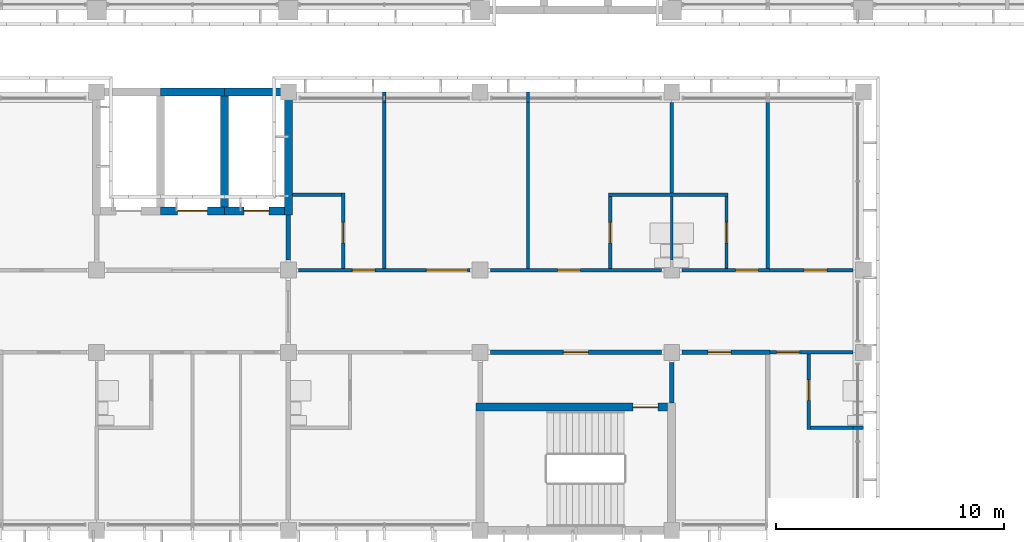
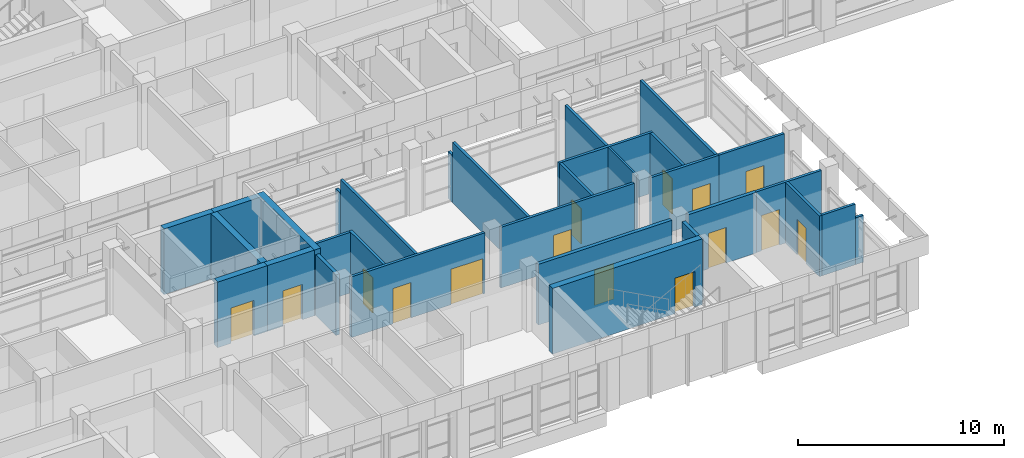
# One storey, part 38 of 74: 31 walls, 15 doors, 15 openings.
"""IFC4 building model written with IfcOpenShell, lengths in metres."""

from ifc_helpers import new_model, si_unit, direction, frame, frame_2d, origin, place, context, subcontext, project, spatial, rectangle, extrude, material, layer, layer_set, type_object, element, fill, save


model = new_model("IFC4")

# Units and contexts
model_context = context("Model", 3, precision=1e-05, world=origin(), true_north=direction((0.0, 1.0)))
body_context = subcontext(model_context, "Body", "Model", "MODEL_VIEW")
ifc_project = project(units=[si_unit("LENGTHUNIT", "METRE"), si_unit("AREAUNIT", "SQUARE_METRE"), si_unit("VOLUMEUNIT", "CUBIC_METRE"), si_unit("PLANEANGLEUNIT", "RADIAN"), si_unit("MASSUNIT", "GRAM", prefix="KILO")], contexts=[model_context])

# Site, building, storey
site_placement = place(None, origin())
site = spatial("IfcSite", under=ifc_project, at=site_placement, CompositionType="ELEMENT")
building_placement = place(site_placement, origin())
building = spatial("IfcBuilding", under=site, at=building_placement, Name="Bougainvillea Quay General Hospital", CompositionType="ELEMENT")
storey_placement = place(building_placement, frame((0.0, 0.0, 21.0)))
storey = spatial("IfcBuildingStorey", under=building, at=storey_placement, Name="L04", CompositionType="ELEMENT", Elevation=21.0)

# Walls
ifc_material_1 = material(Name="Gypsum board partition on steel studs", Category="steel")
ifc_layer_1 = layer(ifc_material_1, 0.10009765625)
ifc_layer_set_1 = layer_set([ifc_layer_1], Name="Gypsum board partition on steel studs")
wall_type_1 = type_object("IfcWallType", Name="Partition 100 Gypsum board partition", PredefinedType="PARTITIONING", material=ifc_layer_set_1)
wall_1_placement = place(storey_placement, frame((159.60009765625, 129.449951171875, 0.0), z_axis=(0.0, 0.0, 1.0), x_axis=(0.0, 1.0, 0.0)))
element("IfcWall", 1, at=wall_1_placement, inside=storey, type_object=wall_type_1, Name="Partition 100 mm", PredefinedType="PARTITIONING", context=body_context, shape_type="SweptSolid", body=[
    extrude(rectangle(XDim=2.775146484375, YDim=0.10009765625, at=frame_2d((1.3876953125, 0.0))), origin(), (0.0, 0.0, 1.0), 3.60009765625),
])
ifc_material_2 = material(Name="Gypsum board partition on steel studs, insulated", Category="steel")
ifc_layer_2 = layer(ifc_material_2, 0.14990234375)
ifc_layer_set_2 = layer_set([ifc_layer_2], Name="Gypsum board partition on steel studs, insulated")
wall_type_2 = type_object("IfcWallType", Name="Partition 150 Gypsum board partition", PredefinedType="PARTITIONING", material=ifc_layer_set_2)
wall_2_placement = place(storey_placement, frame((147.0, 129.074951171875, 0.0), z_axis=(0.0, 0.0, 1.0), x_axis=(0.0, 1.0, 0.0)))
element("IfcWall", 2, at=wall_2_placement, inside=storey, type_object=wall_type_2, Name="Partition 150 mm", PredefinedType="PARTITIONING", context=body_context, shape_type="SweptSolid", body=[
    extrude(rectangle(XDim=7.275146484375, YDim=0.14990234375, at=frame_2d((3.6376953125, 0.0))), origin(), (0.0, 0.0, 1.0), 3.60009765625),
])
wall_3_placement = place(storey_placement, frame((147.0, 136.35009765625, 0.0), z_axis=(0.0, 0.0, 1.0), x_axis=(0.0, 1.0, 0.0)))
element("IfcWall", 3, at=wall_3_placement, inside=storey, type_object=wall_type_2, Name="Partition 150 mm", PredefinedType="PARTITIONING", context=body_context, shape_type="SweptSolid", body=[
    extrude(rectangle(XDim=0.449951171875, YDim=0.14990234375, at=frame_2d((0.22509765625, 0.0))), origin(), (0.0, 0.0, 1.0), 2.780029296875),
])
wall_4_placement = place(storey_placement, frame((153.300048828125, 129.074951171875, 0.0), z_axis=(0.0, 0.0, 1.0), x_axis=(0.0, 1.0, 0.0)))
element("IfcWall", 4, at=wall_4_placement, inside=storey, type_object=wall_type_2, Name="Partition 150 mm", PredefinedType="PARTITIONING", context=body_context, shape_type="SweptSolid", body=[
    extrude(rectangle(XDim=7.275146484375, YDim=0.14990234375, at=frame_2d((3.6376953125, 0.0))), origin(), (0.0, 0.0, 1.0), 3.60009765625),
])
wall_5_placement = place(storey_placement, frame((153.300048828125, 136.35009765625, 0.0), z_axis=(0.0, 0.0, 1.0), x_axis=(0.0, 1.0, 0.0)))
element("IfcWall", 5, at=wall_5_placement, inside=storey, type_object=wall_type_2, Name="Partition 150 mm", PredefinedType="PARTITIONING", context=body_context, shape_type="SweptSolid", body=[
    extrude(rectangle(XDim=0.449951171875, YDim=0.14990234375, at=frame_2d((0.22509765625, 0.0))), origin(), (0.0, 0.0, 1.0), 2.780029296875),
])
wall_6_placement = place(storey_placement, frame((163.800048828125, 129.074951171875, 0.0), z_axis=(0.0, 0.0, 1.0), x_axis=(0.0, 1.0, 0.0)))
element("IfcWall", 6, at=wall_6_placement, inside=storey, type_object=wall_type_2, Name="Partition 150 mm", PredefinedType="PARTITIONING", context=body_context, shape_type="SweptSolid", body=[
    extrude(rectangle(XDim=7.275146484375, YDim=0.14990234375, at=frame_2d((3.6376953125, 0.0))), origin(), (0.0, 0.0, 1.0), 3.60009765625),
])
wall_7_placement = place(storey_placement, frame((156.824951171875, 132.300048828125, 0.0), z_axis=(0.0, 0.0, 1.0), x_axis=(1.0, 0.0, 0.0)))
element("IfcWall", 7, at=wall_7_placement, inside=storey, type_object=wall_type_2, Name="Partition 150 mm", PredefinedType="PARTITIONING", context=body_context, shape_type="SweptSolid", body=[
    extrude(rectangle(XDim=5.25, YDim=0.14990234375, at=frame_2d((2.625, 0.0))), origin(), (0.0, 0.0, 1.0), 3.60009765625),
])
wall_8_placement = place(storey_placement, frame((159.60009765625, 132.375, 0.0), z_axis=(0.0, 0.0, 1.0), x_axis=(0.0, 1.0, 0.0)))
element("IfcWall", 8, at=wall_8_placement, inside=storey, type_object=wall_type_2, Name="Partition 150 mm", PredefinedType="PARTITIONING", context=body_context, shape_type="SweptSolid", body=[
    extrude(rectangle(XDim=3.97509765625, YDim=0.14990234375, at=frame_2d((1.987548828125, 0.0))), origin(), (0.0, 0.0, 1.0), 3.60009765625),
])

# Wall, opening, door
wall_9_placement = place(storey_placement, frame((145.199951171875, 129.074951171875, 0.0), z_axis=(0.0, 0.0, 1.0), x_axis=(0.0, 1.0, 0.0)))
wall_9 = element("IfcWall", 9, at=wall_9_placement, inside=storey, type_object=wall_type_2, Name="Partition 150 mm", PredefinedType="PARTITIONING", context=body_context, shape_type="SweptSolid", body=[
    extrude(rectangle(XDim=3.300048828125, YDim=0.14990234375, at=frame_2d((1.64990234375, 0.0))), origin(), (0.0, 0.0, 1.0), 3.60009765625),
])
opening_1_placement = place(wall_9_placement, frame((1.125, 0.0, 0.0)))
opening_1 = element("IfcOpeningElement", 10, at=opening_1_placement, cuts=wall_9, Name="Opening L04.125", PredefinedType="OPENING", context=body_context, shape_type="SweptSolid", body=[
    extrude(rectangle(XDim=0.89990234375, YDim=2.10009765625, at=frame_2d((0.449951171875, 1.050048828125))), frame((0.0, 0.0849609375, 0.0), z_axis=(0.0, -1.0, 0.0), x_axis=(1.0, 0.0, 0.0)), (0.0, 0.0, 1.0), 0.169921875),
])
ifc_material_3 = material(Name="Solid-core timber door leaf in steel frame", Category="steel")
door_type_1 = type_object("IfcDoorType", Name="Single leaf door 900x2100", OperationType="NOTDEFINED", PredefinedType="DOOR", material=ifc_material_3)
door_1_placement = place(opening_1_placement, origin())
door_1 = element("IfcDoor", 11, at=door_1_placement, inside=storey, type_object=door_type_1, Name="DT07 L04.125", OperationType="SINGLE_SWING_LEFT", OverallHeight=2.10009765625, OverallWidth=0.89990234375, PredefinedType="DOOR", context=body_context, shape_type="SweptSolid", body=[
    extrude(rectangle(XDim=0.89990234375, YDim=2.10009765625, at=frame_2d((0.449951171875, 1.050048828125))), frame((0.0, 0.02490234375, 0.0), z_axis=(0.0, -1.0, 0.0), x_axis=(1.0, 0.0, 0.0)), (0.0, 0.0, 1.0), 0.050048828125),
])
fill(opening_1, door_1)

wall_10_placement = place(storey_placement, frame((156.89990234375, 129.074951171875, 0.0), z_axis=(0.0, 0.0, 1.0), x_axis=(0.0, 1.0, 0.0)))
wall_10 = element("IfcWall", 12, at=wall_10_placement, inside=storey, type_object=wall_type_2, Name="Partition 150 mm", PredefinedType="PARTITIONING", context=body_context, shape_type="SweptSolid", body=[
    extrude(rectangle(XDim=3.150146484375, YDim=0.14990234375, at=frame_2d((1.5751953125, 0.0))), origin(), (0.0, 0.0, 1.0), 3.60009765625),
])
opening_2_placement = place(wall_10_placement, frame((1.125, 0.0, 0.0)))
opening_2 = element("IfcOpeningElement", 13, at=opening_2_placement, cuts=wall_10, Name="Opening L04.128", PredefinedType="OPENING", context=body_context, shape_type="SweptSolid", body=[
    extrude(rectangle(XDim=0.89990234375, YDim=2.10009765625, at=frame_2d((0.449951171875, 1.050048828125))), frame((0.0, 0.0849609375, 0.0), z_axis=(0.0, -1.0, 0.0), x_axis=(1.0, 0.0, 0.0)), (0.0, 0.0, 1.0), 0.169921875),
])
door_2_placement = place(opening_2_placement, frame((0.89990234375, 0.0, 0.0), z_axis=(0.0, 0.0, 1.0), x_axis=(-1.0, 0.0, 0.0)))
door_2 = element("IfcDoor", 14, at=door_2_placement, inside=storey, type_object=door_type_1, Name="DT07 L04.128", OperationType="SINGLE_SWING_LEFT", OverallHeight=2.10009765625, OverallWidth=0.89990234375, PredefinedType="DOOR", context=body_context, shape_type="SweptSolid", body=[
    extrude(rectangle(XDim=0.89990234375, YDim=2.10009765625, at=frame_2d((0.449951171875, 1.050048828125))), frame((0.0, 0.02490234375, 0.0), z_axis=(0.0, -1.0, 0.0), x_axis=(1.0, 0.0, 0.0)), (0.0, 0.0, 1.0), 0.050048828125),
])
fill(opening_2, door_2)

wall_11_placement = place(storey_placement, frame((162.0, 129.074951171875, 0.0), z_axis=(0.0, 0.0, 1.0), x_axis=(0.0, 1.0, 0.0)))
wall_11 = element("IfcWall", 15, at=wall_11_placement, inside=storey, type_object=wall_type_2, Name="Partition 150 mm", PredefinedType="PARTITIONING", context=body_context, shape_type="SweptSolid", body=[
    extrude(rectangle(XDim=3.150146484375, YDim=0.14990234375, at=frame_2d((1.5751953125, 0.0))), origin(), (0.0, 0.0, 1.0), 3.60009765625),
])
opening_3_placement = place(wall_11_placement, frame((1.125, 0.0, 0.0)))
opening_3 = element("IfcOpeningElement", 16, at=opening_3_placement, cuts=wall_11, Name="Opening L04.130", PredefinedType="OPENING", context=body_context, shape_type="SweptSolid", body=[
    extrude(rectangle(XDim=0.89990234375, YDim=2.10009765625, at=frame_2d((0.449951171875, 1.050048828125))), frame((0.0, 0.0849609375, 0.0), z_axis=(0.0, -1.0, 0.0), x_axis=(1.0, 0.0, 0.0)), (0.0, 0.0, 1.0), 0.169921875),
])
door_3_placement = place(opening_3_placement, origin())
door_3 = element("IfcDoor", 17, at=door_3_placement, inside=storey, type_object=door_type_1, Name="DT07 L04.130", OperationType="SINGLE_SWING_RIGHT", OverallHeight=2.10009765625, OverallWidth=0.89990234375, PredefinedType="DOOR", context=body_context, shape_type="SweptSolid", body=[
    extrude(rectangle(XDim=0.89990234375, YDim=2.10009765625, at=frame_2d((0.449951171875, 1.050048828125))), frame((0.0, 0.02490234375, 0.0), z_axis=(0.0, -1.0, 0.0), x_axis=(1.0, 0.0, 0.0)), (0.0, 0.0, 1.0), 0.050048828125),
])
fill(opening_3, door_3)

wall_12_placement = place(storey_placement, frame((165.60009765625, 122.02490234375, 0.0), z_axis=(0.0, 0.0, 1.0), x_axis=(0.0, 1.0, 0.0)))
wall_12 = element("IfcWall", 18, at=wall_12_placement, inside=storey, type_object=wall_type_2, Name="Partition 150 mm", PredefinedType="PARTITIONING", context=body_context, shape_type="SweptSolid", body=[
    extrude(rectangle(XDim=3.300048828125, YDim=0.14990234375, at=frame_2d((1.64990234375, 0.0))), origin(), (0.0, 0.0, 1.0), 3.60009765625),
])
opening_4_placement = place(wall_12_placement, frame((1.27490234375, 0.0, 0.0)))
opening_4 = element("IfcOpeningElement", 19, at=opening_4_placement, cuts=wall_12, Name="Opening L04.133", PredefinedType="OPENING", context=body_context, shape_type="SweptSolid", body=[
    extrude(rectangle(XDim=0.89990234375, YDim=2.10009765625, at=frame_2d((0.449951171875, 1.050048828125))), frame((0.0, 0.0849609375, 0.0), z_axis=(0.0, -1.0, 0.0), x_axis=(1.0, 0.0, 0.0)), (0.0, 0.0, 1.0), 0.169921875),
])
door_4_placement = place(opening_4_placement, frame((0.89990234375, 0.0, 0.0), z_axis=(0.0, 0.0, 1.0), x_axis=(-1.0, 0.0, 0.0)))
door_4 = element("IfcDoor", 20, at=door_4_placement, inside=storey, type_object=door_type_1, Name="DT07 L04.133", OperationType="SINGLE_SWING_LEFT", OverallHeight=2.10009765625, OverallWidth=0.89990234375, PredefinedType="DOOR", context=body_context, shape_type="SweptSolid", body=[
    extrude(rectangle(XDim=0.89990234375, YDim=2.10009765625, at=frame_2d((0.449951171875, 1.050048828125))), frame((0.0, 0.02490234375, 0.0), z_axis=(0.0, -1.0, 0.0), x_axis=(1.0, 0.0, 0.0)), (0.0, 0.0, 1.0), 0.050048828125),
])
fill(opening_4, door_4)

# Walls
wall_13_placement = place(storey_placement, frame((165.675048828125, 122.10009765625, 0.0), z_axis=(0.0, 0.0, 1.0), x_axis=(1.0, 0.0, 0.0)))
element("IfcWall", 21, at=wall_13_placement, inside=storey, type_object=wall_type_2, Name="Partition 150 mm", PredefinedType="PARTITIONING", context=body_context, shape_type="SweptSolid", body=[
    extrude(rectangle(XDim=1.875, YDim=0.14990234375, at=frame_2d((0.9375, 0.0))), origin(), (0.0, 0.0, 1.0), 3.60009765625),
])
wall_14_placement = place(storey_placement, frame((167.550048828125, 122.10009765625, 0.0), z_axis=(0.0, 0.0, 1.0), x_axis=(1.0, 0.0, 0.0)))
element("IfcWall", 22, at=wall_14_placement, inside=storey, type_object=wall_type_2, Name="Partition 150 mm", PredefinedType="PARTITIONING", context=body_context, shape_type="SweptSolid", body=[
    extrude(rectangle(XDim=0.449951171875, YDim=0.14990234375, at=frame_2d((0.22509765625, 0.0))), origin(), (0.0, 0.0, 1.0), 2.780029296875),
])
wall_15_placement = place(storey_placement, frame((142.97509765625, 132.300048828125, 0.0), z_axis=(0.0, 0.0, 1.0), x_axis=(1.0, 0.0, 0.0)))
element("IfcWall", 23, at=wall_15_placement, inside=storey, type_object=wall_type_2, Name="Partition 150 mm", PredefinedType="PARTITIONING", context=body_context, shape_type="SweptSolid", body=[
    extrude(rectangle(XDim=2.14990234375, YDim=0.14990234375, at=frame_2d((1.074951171875, 0.0))), origin(), (0.0, 0.0, 1.0), 3.60009765625),
])

# Wall, opening, door
ifc_layer_3 = layer(ifc_material_2, 0.14990234375)
ifc_layer_set_3 = layer_set([ifc_layer_3], Name="Gypsum board partition on steel studs, insulated")
wall_type_3 = type_object("IfcWallType", Name="Partition 150 Gypsum board partition EI 30", PredefinedType="PARTITIONING", material=ifc_layer_set_3)
wall_16_placement = place(storey_placement, frame((163.875, 129.0, 0.0), z_axis=(0.0, 0.0, 1.0), x_axis=(-1.0, 0.0, 0.0)))
wall_16 = element("IfcWall", 24, at=wall_16_placement, inside=storey, type_object=wall_type_3, Name="Partition 150 mm EI 30", PredefinedType="PARTITIONING", context=body_context, shape_type="SweptSolid", body=[
    extrude(rectangle(XDim=3.824951171875, YDim=0.14990234375, at=frame_2d((1.91259765625, 0.0))), origin(), (0.0, 0.0, 1.0), 3.60009765625),
])
opening_5_placement = place(wall_16_placement, frame((0.47509765625, 0.0, 0.0)))
opening_5 = element("IfcOpeningElement", 25, at=opening_5_placement, cuts=wall_16, Name="Opening L04.129", PredefinedType="OPENING", context=body_context, shape_type="SweptSolid", body=[
    extrude(rectangle(XDim=1.0, YDim=2.10009765625, at=frame_2d((0.5, 1.050048828125))), frame((0.0, 0.0849609375, 0.0), z_axis=(0.0, -1.0, 0.0), x_axis=(1.0, 0.0, 0.0)), (0.0, 0.0, 1.0), 0.169921875),
])
door_type_2 = type_object("IfcDoorType", Name="Single leaf door 1000x2100 FD30S", OperationType="NOTDEFINED", PredefinedType="DOOR", material=ifc_material_3)
door_5_placement = place(opening_5_placement, frame((1.0, 0.0, 0.0), z_axis=(0.0, 0.0, 1.0), x_axis=(-1.0, 0.0, 0.0)))
door_5 = element("IfcDoor", 26, at=door_5_placement, inside=storey, type_object=door_type_2, Name="DT15 L04.129", OperationType="SINGLE_SWING_RIGHT", OverallHeight=2.10009765625, OverallWidth=1.0, PredefinedType="DOOR", context=body_context, shape_type="SweptSolid", body=[
    extrude(rectangle(XDim=1.0, YDim=2.10009765625, at=frame_2d((0.5, 1.050048828125))), frame((0.0, 0.02490234375, 0.0), z_axis=(0.0, -1.0, 0.0), x_axis=(1.0, 0.0, 0.0)), (0.0, 0.0, 1.0), 0.050048828125),
])
fill(opening_5, door_5)

wall_17_placement = place(storey_placement, frame((159.14990234375, 129.0, 0.0), z_axis=(0.0, 0.0, 1.0), x_axis=(-1.0, 0.0, 0.0)))
wall_17 = element("IfcWall", 27, at=wall_17_placement, inside=storey, type_object=wall_type_3, Name="Partition 150 mm EI 30", PredefinedType="PARTITIONING", context=body_context, shape_type="SweptSolid", body=[
    extrude(rectangle(XDim=7.5, YDim=0.14990234375, at=frame_2d((3.75, 0.0))), origin(), (0.0, 0.0, 1.0), 3.60009765625),
])
opening_6_placement = place(wall_17_placement, frame((3.550048828125, 0.0, 0.0)))
opening_6 = element("IfcOpeningElement", 28, at=opening_6_placement, cuts=wall_17, Name="Opening L04.127", PredefinedType="OPENING", context=body_context, shape_type="SweptSolid", body=[
    extrude(rectangle(XDim=1.0, YDim=2.10009765625, at=frame_2d((0.5, 1.050048828125))), frame((0.0, 0.0849609375, 0.0), z_axis=(0.0, -1.0, 0.0), x_axis=(1.0, 0.0, 0.0)), (0.0, 0.0, 1.0), 0.169921875),
])
door_6_placement = place(opening_6_placement, frame((1.0, 0.0, 0.0), z_axis=(0.0, 0.0, 1.0), x_axis=(-1.0, 0.0, 0.0)))
door_6 = element("IfcDoor", 29, at=door_6_placement, inside=storey, type_object=door_type_2, Name="DT15 L04.127", OperationType="SINGLE_SWING_LEFT", OverallHeight=2.10009765625, OverallWidth=1.0, PredefinedType="DOOR", context=body_context, shape_type="SweptSolid", body=[
    extrude(rectangle(XDim=1.0, YDim=2.10009765625, at=frame_2d((0.5, 1.050048828125))), frame((0.0, 0.02490234375, 0.0), z_axis=(0.0, -1.0, 0.0), x_axis=(1.0, 0.0, 0.0)), (0.0, 0.0, 1.0), 0.050048828125),
])
fill(opening_6, door_6)

# Wall, openings, doors
wall_18_placement = place(storey_placement, frame((150.75, 129.0, 0.0), z_axis=(0.0, 0.0, 1.0), x_axis=(-1.0, 0.0, 0.0)))
wall_18 = element("IfcWall", 30, at=wall_18_placement, inside=storey, type_object=wall_type_3, Name="Partition 150 mm EI 30", PredefinedType="PARTITIONING", context=body_context, shape_type="SweptSolid", body=[
    extrude(rectangle(XDim=7.5, YDim=0.14990234375, at=frame_2d((3.75, 0.0))), origin(), (0.0, 0.0, 1.0), 3.60009765625),
])
opening_7_placement = place(wall_18_placement, frame((4.14990234375, 0.0, 0.0)))
opening_7 = element("IfcOpeningElement", 31, at=opening_7_placement, cuts=wall_18, Name="Opening L04.124", PredefinedType="OPENING", context=body_context, shape_type="SweptSolid", body=[
    extrude(rectangle(XDim=1.0, YDim=2.10009765625, at=frame_2d((0.5, 1.050048828125))), frame((0.0, 0.0849609375, 0.0), z_axis=(0.0, -1.0, 0.0), x_axis=(1.0, 0.0, 0.0)), (0.0, 0.0, 1.0), 0.169921875),
])
opening_8_placement = place(wall_18_placement, frame((0.10009765625, 0.0, 0.0)))
opening_8 = element("IfcOpeningElement", 32, at=opening_8_placement, cuts=wall_18, Name="Opening L04.126", PredefinedType="OPENING", context=body_context, shape_type="SweptSolid", body=[
    extrude(rectangle(XDim=1.800048828125, YDim=2.10009765625, at=frame_2d((0.89990234375, 1.050048828125))), frame((0.0, 0.0849609375, 0.0), z_axis=(0.0, -1.0, 0.0), x_axis=(1.0, 0.0, 0.0)), (0.0, 0.0, 1.0), 0.169921875),
])
ifc_material_4 = material(Name="Solid-core timber door leaves in steel frame", Category="steel")
door_type_3 = type_object("IfcDoorType", Name="Double leaf door 1800x2100 FD30S", OperationType="DOUBLE_DOOR_SINGLE_SWING", PredefinedType="DOOR", material=ifc_material_4)
door_7_placement = place(opening_8_placement, frame((1.800048828125, 0.0, 0.0), z_axis=(0.0, 0.0, 1.0), x_axis=(-1.0, 0.0, 0.0)))
door_7 = element("IfcDoor", 33, at=door_7_placement, inside=storey, type_object=door_type_3, Name="DT17 L04.126", OperationType="DOUBLE_DOOR_SINGLE_SWING", OverallHeight=2.10009765625, OverallWidth=1.800048828125, PredefinedType="DOOR", context=body_context, shape_type="SweptSolid", body=[
    extrude(rectangle(XDim=1.800048828125, YDim=2.10009765625, at=frame_2d((0.89990234375, 1.050048828125))), frame((0.0, 0.02490234375, 0.0), z_axis=(0.0, -1.0, 0.0), x_axis=(1.0, 0.0, 0.0)), (0.0, 0.0, 1.0), 0.050048828125),
])
fill(opening_8, door_7)
door_8_placement = place(opening_7_placement, frame((1.0, 0.0, 0.0), z_axis=(0.0, 0.0, 1.0), x_axis=(-1.0, 0.0, 0.0)))
door_8 = element("IfcDoor", 34, at=door_8_placement, inside=storey, type_object=door_type_2, Name="DT15 L04.124", OperationType="SINGLE_SWING_LEFT", OverallHeight=2.10009765625, OverallWidth=1.0, PredefinedType="DOOR", context=body_context, shape_type="SweptSolid", body=[
    extrude(rectangle(XDim=1.0, YDim=2.10009765625, at=frame_2d((0.5, 1.050048828125))), frame((0.0, 0.02490234375, 0.0), z_axis=(0.0, -1.0, 0.0), x_axis=(1.0, 0.0, 0.0)), (0.0, 0.0, 1.0), 0.050048828125),
])
fill(opening_7, door_8)

# Wall, opening, door
wall_19_placement = place(storey_placement, frame((163.89990234375, 125.39990234375, 0.0), z_axis=(0.0, 0.0, 1.0), x_axis=(1.0, 0.0, 0.0)))
wall_19 = element("IfcWall", 35, at=wall_19_placement, inside=storey, type_object=wall_type_3, Name="Partition 150 mm EI 30", PredefinedType="PARTITIONING", context=body_context, shape_type="SweptSolid", body=[
    extrude(rectangle(XDim=3.650146484375, YDim=0.14990234375, at=frame_2d((1.8251953125, 0.0))), origin(), (0.0, 0.0, 1.0), 3.60009765625),
])
opening_9_placement = place(wall_19_placement, frame((0.300048828125, 0.0, 0.0)))
opening_9 = element("IfcOpeningElement", 36, at=opening_9_placement, cuts=wall_19, Name="Opening L04.132", PredefinedType="OPENING", context=body_context, shape_type="SweptSolid", body=[
    extrude(rectangle(XDim=1.0, YDim=2.10009765625, at=frame_2d((0.5, 1.050048828125))), frame((0.0, 0.0849609375, 0.0), z_axis=(0.0, -1.0, 0.0), x_axis=(1.0, 0.0, 0.0)), (0.0, 0.0, 1.0), 0.169921875),
])
door_9_placement = place(opening_9_placement, frame((1.0, 0.0, 0.0), z_axis=(0.0, 0.0, 1.0), x_axis=(-1.0, 0.0, 0.0)))
door_9 = element("IfcDoor", 37, at=door_9_placement, inside=storey, type_object=door_type_2, Name="DT15 L04.132", OperationType="SINGLE_SWING_RIGHT", OverallHeight=2.10009765625, OverallWidth=1.0, PredefinedType="DOOR", context=body_context, shape_type="SweptSolid", body=[
    extrude(rectangle(XDim=1.0, YDim=2.10009765625, at=frame_2d((0.5, 1.050048828125))), frame((0.0, 0.02490234375, 0.0), z_axis=(0.0, -1.0, 0.0), x_axis=(1.0, 0.0, 0.0)), (0.0, 0.0, 1.0), 0.050048828125),
])
fill(opening_9, door_9)

ifc_layer_4 = layer(ifc_material_2, 0.14990234375)
ifc_layer_set_4 = layer_set([ifc_layer_4], Name="Gypsum board partition on steel studs, insulated")
wall_type_4 = type_object("IfcWallType", Name="Partition 150 Gypsum board partition EI 60", PredefinedType="PARTITIONING", material=ifc_layer_set_4)
wall_20_placement = place(storey_placement, frame((163.875, 129.0, 0.0), z_axis=(0.0, 0.0, 1.0), x_axis=(1.0, 0.0, 0.0)))
wall_20 = element("IfcWall", 38, at=wall_20_placement, inside=storey, type_object=wall_type_4, Name="Partition 150 mm EI 60", PredefinedType="PARTITIONING", context=body_context, shape_type="SweptSolid", body=[
    extrude(rectangle(XDim=3.675048828125, YDim=0.14990234375, at=frame_2d((1.83740234375, 0.0))), origin(), (0.0, 0.0, 1.0), 3.60009765625),
])
opening_10_placement = place(wall_20_placement, frame((1.52490234375, 0.0, 0.0)))
opening_10 = element("IfcOpeningElement", 39, at=opening_10_placement, cuts=wall_20, Name="Opening L04.131", PredefinedType="OPENING", context=body_context, shape_type="SweptSolid", body=[
    extrude(rectangle(XDim=1.0, YDim=2.10009765625, at=frame_2d((0.5, 1.050048828125))), frame((0.0, 0.0849609375, 0.0), z_axis=(0.0, -1.0, 0.0), x_axis=(1.0, 0.0, 0.0)), (0.0, 0.0, 1.0), 0.169921875),
])
door_type_4 = type_object("IfcDoorType", Name="Single leaf door 1000x2100 FD60", OperationType="NOTDEFINED", PredefinedType="DOOR", material=ifc_material_3)
door_10_placement = place(opening_10_placement, origin())
door_10 = element("IfcDoor", 40, at=door_10_placement, inside=storey, type_object=door_type_4, Name="DT14 L04.131", OperationType="SINGLE_SWING_RIGHT", OverallHeight=2.10009765625, OverallWidth=1.0, PredefinedType="DOOR", context=body_context, shape_type="SweptSolid", body=[
    extrude(rectangle(XDim=1.0, YDim=2.10009765625, at=frame_2d((0.5, 1.050048828125))), frame((0.0, 0.02490234375, 0.0), z_axis=(0.0, -1.0, 0.0), x_axis=(1.0, 0.0, 0.0)), (0.0, 0.0, 1.0), 0.050048828125),
])
fill(opening_10, door_10)

# Wall
ifc_material_5 = material(Name="Fire-rated autoclaved aerated block wall, plastered")
ifc_layer_5 = layer(ifc_material_5, 0.199951171875)
ifc_layer_set_5 = layer_set([ifc_layer_5], Name="Fire-rated autoclaved aerated block wall, plastered")
wall_type_5 = type_object("IfcWallType", Name="Partition 200 Fire-rated autoclaved aerated block wall EI 120", PredefinedType="SOLIDWALL", material=ifc_layer_set_5)
wall_21_placement = place(storey_placement, frame((142.800048828125, 131.425048828125, 0.0), z_axis=(0.0, 0.0, 1.0), x_axis=(0.0, -1.0, 0.0)))
element("IfcWall", 41, at=wall_21_placement, inside=storey, type_object=wall_type_5, Name="Partition 200 mm EI 120", PredefinedType="SOLIDWALL", context=body_context, shape_type="SweptSolid", body=[
    extrude(rectangle(XDim=1.97509765625, YDim=0.199951171875, at=frame_2d((0.987548828125, 0.0))), origin(), (0.0, 0.0, 1.0), 3.60009765625),
])

# Wall, opening, door
wall_22_placement = place(storey_placement, frame((151.64990234375, 125.39990234375, 0.0), z_axis=(0.0, 0.0, 1.0), x_axis=(1.0, 0.0, 0.0)))
wall_22 = element("IfcWall", 42, at=wall_22_placement, inside=storey, type_object=wall_type_5, Name="Partition 200 mm EI 120", PredefinedType="SOLIDWALL", context=body_context, shape_type="SweptSolid", body=[
    extrude(rectangle(XDim=7.5, YDim=0.199951171875, at=frame_2d((3.75, 0.0))), origin(), (0.0, 0.0, 1.0), 3.60009765625),
])
opening_11_placement = place(wall_22_placement, frame((3.199951171875, 0.0, 0.0)))
opening_11 = element("IfcOpeningElement", 43, at=opening_11_placement, cuts=wall_22, Name="Opening L04.156", PredefinedType="OPENING", context=body_context, shape_type="SweptSolid", body=[
    extrude(rectangle(XDim=1.10009765625, YDim=2.10009765625, at=frame_2d((0.550048828125, 1.050048828125))), frame((0.0, 0.10986328125, 0.0), z_axis=(0.0, -1.0, 0.0), x_axis=(1.0, 0.0, 0.0)), (0.0, 0.0, 1.0), 0.219970703125),
])
ifc_material_6 = material(Name="Steel fire door leaf in steel frame", Category="steel")
door_type_5 = type_object("IfcDoorType", Name="Steel single leaf door 1100x2100 FD60", OperationType="NOTDEFINED", PredefinedType="DOOR", material=ifc_material_6)
door_11_placement = place(opening_11_placement, frame((1.10009765625, 0.0, 0.0), z_axis=(0.0, 0.0, 1.0), x_axis=(-1.0, 0.0, 0.0)))
door_11 = element("IfcDoor", 44, at=door_11_placement, inside=storey, type_object=door_type_5, Name="DT04 L04.156", OperationType="SINGLE_SWING_LEFT", OverallHeight=2.10009765625, OverallWidth=1.10009765625, PredefinedType="DOOR", context=body_context, shape_type="SweptSolid", body=[
    extrude(rectangle(XDim=1.10009765625, YDim=2.10009765625, at=frame_2d((0.550048828125, 1.050048828125))), frame((0.0, 0.02490234375, 0.0), z_axis=(0.0, -1.0, 0.0), x_axis=(1.0, 0.0, 0.0)), (0.0, 0.0, 1.0), 0.050048828125),
])
fill(opening_11, door_11)

wall_23_placement = place(storey_placement, frame((160.050048828125, 125.39990234375, 0.0), z_axis=(0.0, 0.0, 1.0), x_axis=(1.0, 0.0, 0.0)))
wall_23 = element("IfcWall", 45, at=wall_23_placement, inside=storey, type_object=wall_type_5, Name="Partition 200 mm EI 120", PredefinedType="SOLIDWALL", context=body_context, shape_type="SweptSolid", body=[
    extrude(rectangle(XDim=3.849853515625, YDim=0.199951171875, at=frame_2d((1.9248046875, 0.0))), origin(), (0.0, 0.0, 1.0), 3.60009765625),
])
opening_12_placement = place(wall_23_placement, frame((1.14990234375, 0.0, 0.0)))
opening_12 = element("IfcOpeningElement", 46, at=opening_12_placement, cuts=wall_23, Name="Opening L04.138", PredefinedType="OPENING", context=body_context, shape_type="SweptSolid", body=[
    extrude(rectangle(XDim=1.0, YDim=2.10009765625, at=frame_2d((0.5, 1.050048828125))), frame((0.0, 0.10986328125, 0.0), z_axis=(0.0, -1.0, 0.0), x_axis=(1.0, 0.0, 0.0)), (0.0, 0.0, 1.0), 0.219970703125),
])
door_type_6 = type_object("IfcDoorType", Name="Steel single leaf door 1000x2100 FD90", OperationType="NOTDEFINED", PredefinedType="DOOR", material=ifc_material_6)
door_12_placement = place(opening_12_placement, frame((1.0, 0.0, 0.0), z_axis=(0.0, 0.0, 1.0), x_axis=(-1.0, 0.0, 0.0)))
door_12 = element("IfcDoor", 47, at=door_12_placement, inside=storey, type_object=door_type_6, Name="DT11 L04.138", OperationType="SINGLE_SWING_RIGHT", OverallHeight=2.10009765625, OverallWidth=1.0, PredefinedType="DOOR", context=body_context, shape_type="SweptSolid", body=[
    extrude(rectangle(XDim=1.0, YDim=2.10009765625, at=frame_2d((0.5, 1.050048828125))), frame((0.0, 0.02490234375, 0.0), z_axis=(0.0, -1.0, 0.0), x_axis=(1.0, 0.0, 0.0)), (0.0, 0.0, 1.0), 0.050048828125),
])
fill(opening_12, door_12)

# Wall
wall_24_placement = place(storey_placement, frame((159.60009765625, 123.175048828125, 0.0), z_axis=(0.0, 0.0, 1.0), x_axis=(0.0, 1.0, 0.0)))
element("IfcWall", 48, at=wall_24_placement, inside=storey, type_object=wall_type_5, Name="Partition 200 mm EI 120", PredefinedType="SOLIDWALL", context=body_context, shape_type="SweptSolid", body=[
    extrude(rectangle(XDim=1.77490234375, YDim=0.199951171875, at=frame_2d((0.887451171875, 0.0))), origin(), (0.0, 0.0, 1.0), 3.60009765625),
])

# Wall, opening, door
ifc_material_7 = material(Name="Concrete C40", Category="concrete")
ifc_layer_6 = layer(ifc_material_7, 0.35009765625)
ifc_layer_set_6 = layer_set([ifc_layer_6], Name="Concrete C40")
wall_type_6 = type_object("IfcWallType", Name="RC SHEAR WALL 350 C40", PredefinedType="SHEAR", material=ifc_layer_set_6)
wall_25_placement = place(storey_placement, frame((137.199951171875, 131.60009765625, 0.0), z_axis=(0.0, 0.0, 1.0), x_axis=(1.0, 0.0, 0.0)))
wall_25 = element("IfcWall", 49, at=wall_25_placement, inside=storey, type_object=wall_type_6, Name="Shear wall L04", PredefinedType="SHEAR", context=body_context, shape_type="SweptSolid", body=[
    extrude(rectangle(XDim=2.800048828125, YDim=0.35009765625, at=frame_2d((1.39990234375, 0.0))), origin(), (0.0, 0.0, 1.0), 3.89990234375),
])
opening_13_placement = place(wall_25_placement, frame((0.75, 0.0, 0.0)))
opening_13 = element("IfcOpeningElement", 50, at=opening_13_placement, cuts=wall_25, Name="Opening LD-B2.2-L04", PredefinedType="OPENING", context=body_context, shape_type="SweptSolid", body=[
    extrude(rectangle(XDim=1.300048828125, YDim=2.10009765625, at=frame_2d((0.64990234375, 1.050048828125))), frame((0.0, 0.18505859375, 0.0), z_axis=(0.0, -1.0, 0.0), x_axis=(1.0, 0.0, 0.0)), (0.0, 0.0, 1.0), 0.3701171875),
])
ifc_material_8 = material(Name="Stainless steel centre-opening landing door", Category="steel")
door_type_7 = type_object("IfcDoorType", Name="Lift landing door 1300x2100 E 120", OperationType="DOUBLE_DOOR_SLIDING", PredefinedType="DOOR", material=ifc_material_8)
door_13_placement = place(opening_13_placement, origin())
door_13 = element("IfcDoor", 51, at=door_13_placement, inside=storey, type_object=door_type_7, Name="Lift landing door LB-B2-2 L04", OperationType="DOUBLE_DOOR_SLIDING", OverallHeight=2.10009765625, OverallWidth=1.300048828125, PredefinedType="DOOR", context=body_context, shape_type="SweptSolid", body=[
    extrude(rectangle(XDim=1.300048828125, YDim=2.10009765625, at=frame_2d((0.64990234375, 1.050048828125))), frame((0.0, 0.02490234375, 0.0), z_axis=(0.0, -1.0, 0.0), x_axis=(1.0, 0.0, 0.0)), (0.0, 0.0, 1.0), 0.050048828125),
])
fill(opening_13, door_13)

# Wall
wall_26_placement = place(storey_placement, frame((137.199951171875, 136.800048828125, 0.0), z_axis=(0.0, 0.0, 1.0), x_axis=(1.0, 0.0, 0.0)))
element("IfcWall", 52, at=wall_26_placement, inside=storey, type_object=wall_type_6, Name="Shear wall L04", PredefinedType="SHEAR", context=body_context, shape_type="SweptSolid", body=[
    extrude(rectangle(XDim=2.800048828125, YDim=0.35009765625, at=frame_2d((1.39990234375, 0.0))), origin(), (0.0, 0.0, 1.0), 3.89990234375),
])

# Wall, opening, door
wall_27_placement = place(storey_placement, frame((140.0, 131.60009765625, 0.0), z_axis=(0.0, 0.0, 1.0), x_axis=(1.0, 0.0, 0.0)))
wall_27 = element("IfcWall", 53, at=wall_27_placement, inside=storey, type_object=wall_type_6, Name="Shear wall L04", PredefinedType="SHEAR", context=body_context, shape_type="SweptSolid", body=[
    extrude(rectangle(XDim=2.625, YDim=0.35009765625, at=frame_2d((1.3125, 0.0))), origin(), (0.0, 0.0, 1.0), 3.89990234375),
])
opening_14_placement = place(wall_27_placement, frame((0.85009765625, 0.0, 0.0)))
opening_14 = element("IfcOpeningElement", 54, at=opening_14_placement, cuts=wall_27, Name="Opening LD-B2.3-L04", PredefinedType="OPENING", context=body_context, shape_type="SweptSolid", body=[
    extrude(rectangle(XDim=1.10009765625, YDim=2.10009765625, at=frame_2d((0.550048828125, 1.050048828125))), frame((0.0, 0.18505859375, 0.0), z_axis=(0.0, -1.0, 0.0), x_axis=(1.0, 0.0, 0.0)), (0.0, 0.0, 1.0), 0.3701171875),
])
door_type_8 = type_object("IfcDoorType", Name="Lift landing door 1100x2100 E 120", OperationType="DOUBLE_DOOR_SLIDING", PredefinedType="DOOR", material=ifc_material_8)
door_14_placement = place(opening_14_placement, origin())
door_14 = element("IfcDoor", 55, at=door_14_placement, inside=storey, type_object=door_type_8, Name="Lift landing door LB-B2-3 L04", OperationType="DOUBLE_DOOR_SLIDING", OverallHeight=2.10009765625, OverallWidth=1.10009765625, PredefinedType="DOOR", context=body_context, shape_type="SweptSolid", body=[
    extrude(rectangle(XDim=1.10009765625, YDim=2.10009765625, at=frame_2d((0.550048828125, 1.050048828125))), frame((0.0, 0.02490234375, 0.0), z_axis=(0.0, -1.0, 0.0), x_axis=(1.0, 0.0, 0.0)), (0.0, 0.0, 1.0), 0.050048828125),
])
fill(opening_14, door_14)

# Walls
wall_28_placement = place(storey_placement, frame((140.0, 131.77490234375, 0.0), z_axis=(0.0, 0.0, 1.0), x_axis=(0.0, 1.0, 0.0)))
element("IfcWall", 56, at=wall_28_placement, inside=storey, type_object=wall_type_6, Name="Shear wall L04", PredefinedType="SHEAR", context=body_context, shape_type="SweptSolid", body=[
    extrude(rectangle(XDim=4.85009765625, YDim=0.35009765625, at=frame_2d((2.425048828125, 0.0))), origin(), (0.0, 0.0, 1.0), 3.89990234375),
])
wall_29_placement = place(storey_placement, frame((140.0, 136.800048828125, 0.0), z_axis=(0.0, 0.0, 1.0), x_axis=(1.0, 0.0, 0.0)))
element("IfcWall", 57, at=wall_29_placement, inside=storey, type_object=wall_type_6, Name="Shear wall L04", PredefinedType="SHEAR", context=body_context, shape_type="SweptSolid", body=[
    extrude(rectangle(XDim=2.625, YDim=0.35009765625, at=frame_2d((1.3125, 0.0))), origin(), (0.0, 0.0, 1.0), 3.89990234375),
])
wall_30_placement = place(storey_placement, frame((142.800048828125, 131.425048828125, 0.0), z_axis=(0.0, 0.0, 1.0), x_axis=(0.0, 1.0, 0.0)))
element("IfcWall", 58, at=wall_30_placement, inside=storey, type_object=wall_type_6, Name="Shear wall L04", PredefinedType="SHEAR", context=body_context, shape_type="SweptSolid", body=[
    extrude(rectangle(XDim=5.550048828125, YDim=0.35009765625, at=frame_2d((2.77490234375, 0.0))), origin(), (0.0, 0.0, 1.0), 3.89990234375),
])

# Wall, opening, door
wall_31_placement = place(storey_placement, frame((151.02490234375, 123.0, 0.0), z_axis=(0.0, 0.0, 1.0), x_axis=(1.0, 0.0, 0.0)))
wall_31 = element("IfcWall", 59, at=wall_31_placement, inside=storey, type_object=wall_type_6, Name="Shear wall L04", PredefinedType="SHEAR", context=body_context, shape_type="SweptSolid", body=[
    extrude(rectangle(XDim=8.400146484375, YDim=0.35009765625, at=frame_2d((4.2001953125, 0.0))), origin(), (0.0, 0.0, 1.0), 3.89990234375),
])
opening_15_placement = place(wall_31_placement, frame((6.875, 0.0, 0.0)))
opening_15 = element("IfcOpeningElement", 60, at=opening_15_placement, cuts=wall_31, Name="Opening L04.155", PredefinedType="OPENING", context=body_context, shape_type="SweptSolid", body=[
    extrude(rectangle(XDim=1.10009765625, YDim=2.10009765625, at=frame_2d((0.550048828125, 1.050048828125))), frame((0.0, 0.18505859375, 0.0), z_axis=(0.0, -1.0, 0.0), x_axis=(1.0, 0.0, 0.0)), (0.0, 0.0, 1.0), 0.3701171875),
])
door_15_placement = place(opening_15_placement, frame((1.10009765625, 0.0, 0.0), z_axis=(0.0, 0.0, 1.0), x_axis=(-1.0, 0.0, 0.0)))
door_15 = element("IfcDoor", 61, at=door_15_placement, inside=storey, type_object=door_type_5, Name="DT04 L04.155", OperationType="SINGLE_SWING_LEFT", OverallHeight=2.10009765625, OverallWidth=1.10009765625, PredefinedType="DOOR", context=body_context, shape_type="SweptSolid", body=[
    extrude(rectangle(XDim=1.10009765625, YDim=2.10009765625, at=frame_2d((0.550048828125, 1.050048828125))), frame((0.0, 0.02490234375, 0.0), z_axis=(0.0, -1.0, 0.0), x_axis=(1.0, 0.0, 0.0)), (0.0, 0.0, 1.0), 0.050048828125),
])
fill(opening_15, door_15)

save(model, "model.ifc")
